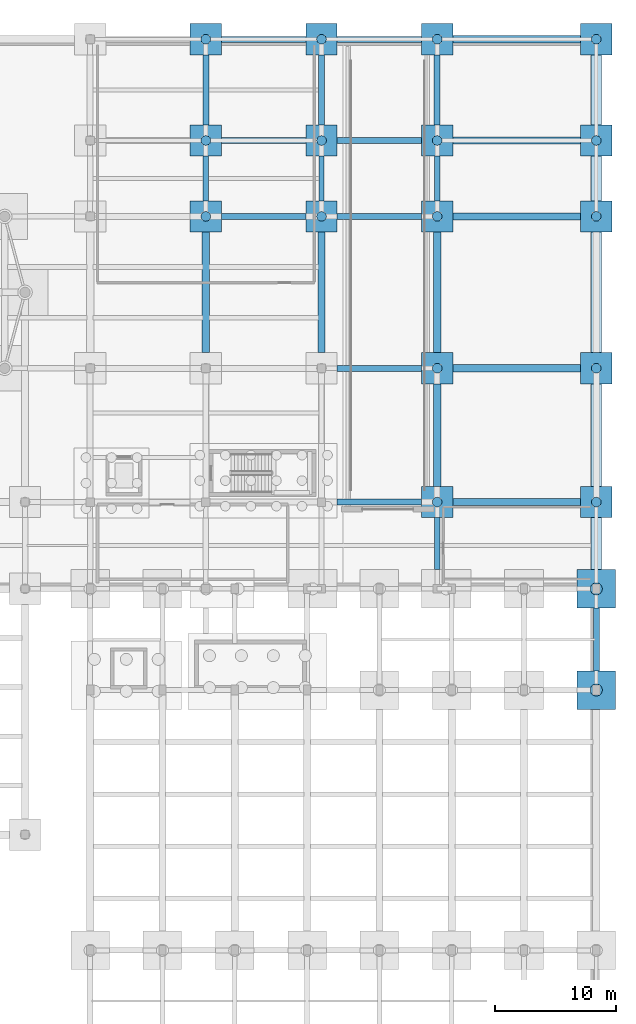
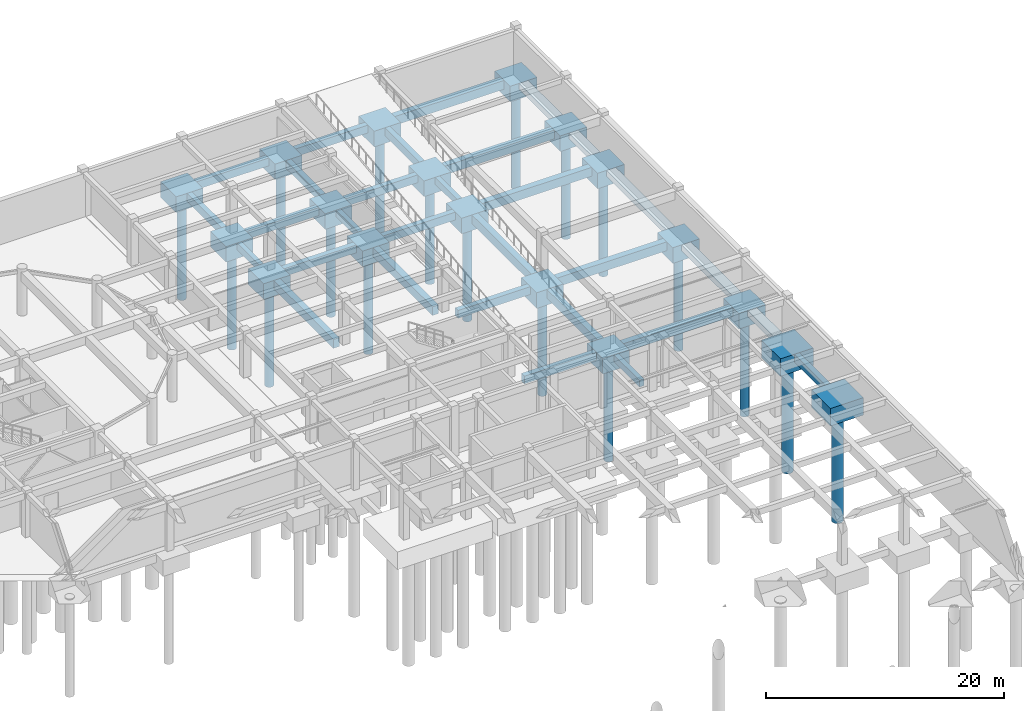
# One storey, part 7 of 37: 48 footings, 18 piles.
"""IFC4 building model written with IfcOpenShell, lengths in metres."""

from ifc_helpers import new_model, si_unit, direction, frame, origin, origin_2d, place, context, subcontext, project, spatial, rectangle, circle, extrude, material, material_profile, profile_set, type_object, element, save


model = new_model("IFC4")

# Units and contexts
model_context = context("Model", 3, precision=1e-05, world=origin(), true_north=direction((0.0, 1.0)))
body_context = subcontext(model_context, "Body", "Model", "MODEL_VIEW")
ifc_project = project(units=[si_unit("LENGTHUNIT", "METRE"), si_unit("AREAUNIT", "SQUARE_METRE"), si_unit("VOLUMEUNIT", "CUBIC_METRE"), si_unit("PLANEANGLEUNIT", "RADIAN"), si_unit("MASSUNIT", "GRAM", prefix="KILO")], contexts=[model_context])

# Site, building, storey
site_placement = place(None, origin())
site = spatial("IfcSite", under=ifc_project, at=site_placement, CompositionType="ELEMENT")
building_placement = place(site_placement, origin())
building = spatial("IfcBuilding", under=site, at=building_placement, Name="Tarnavel Promenade Courthouse", CompositionType="ELEMENT")
storey_placement = place(building_placement, frame((0.0, 0.0, -4.800048828125)))
storey = spatial("IfcBuildingStorey", under=building, at=storey_placement, Name="B01", CompositionType="ELEMENT", Elevation=-4.800048828125)

# Piles
ifc_material_1 = material(Name="Concrete C30/37", Category="concrete")
ifc_material_profile_1 = material_profile(ifc_material_1, circle(Radius=0.5, at=origin_2d()), Name="PILE D1000")
ifc_profile_set_1 = profile_set([ifc_material_profile_1], Name="Concrete C30/37")
pile_type_1 = type_object("IfcPileType", Name="Concrete C30/37 PIL-D1000 (PILE D1000)", PredefinedType="BORED", material=ifc_profile_set_1)
for number, where, z_axis, x_axis, name in (
    (1, (162.0, 58.800048828125, -2.119873046875), (0.0, 0.0, -1.0), (1.0, 0.0, 0.0), "Bored Pile 098-11"),
    (2, (162.0, 67.199951171875, -2.119873046875), (0.0, 0.0, -1.0), (1.0, 0.0, 0.0), "Bored Pile 112-11"),
):
    element("IfcPile", number, at=place(storey_placement, frame(where, z_axis=z_axis, x_axis=x_axis)), inside=storey, type_object=pile_type_1, Name=name, PredefinedType="BORED", context=body_context, shape_type="SweptSolid", body=[
        extrude(circle(Radius=0.5, at=origin_2d()), origin(), (0.0, 0.0, 1.0), 11.280029296875),
    ])
ifc_material_profile_2 = material_profile(ifc_material_1, circle(Radius=0.39990234375, at=origin_2d()), Name="PILE D800")
ifc_profile_set_2 = profile_set([ifc_material_profile_2], Name="Concrete C30/37")
pile_type_2 = type_object("IfcPileType", Name="Concrete C30/37 PIL-D800 (PILE D800)", PredefinedType="BORED", material=ifc_profile_set_2)
for number, where, z_axis, x_axis, name in (
    (3, (148.800048828125, 74.39990234375, -1.919921875), (0.0, 0.0, -1.0), (1.0, 0.0, 0.0), "Bored Pile 134-11"),
    (4, (162.0, 74.39990234375, -1.919921875), (0.0, 0.0, -1.0), (1.0, 0.0, 0.0), "Bored Pile 135-11"),
    (5, (148.800048828125, 85.5, -1.919921875), (0.0, 0.0, -1.0), (1.0, 0.0, 0.0), "Bored Pile 152-11"),
    (6, (162.0, 85.5, -1.919921875), (0.0, 0.0, -1.0), (1.0, 0.0, 0.0), "Bored Pile 153-11"),
    (7, (129.60009765625, 98.10009765625, -1.919921875), (0.0, 0.0, -1.0), (1.0, 0.0, 0.0), "Bored Pile 168-11"),
    (8, (139.199951171875, 98.10009765625, -1.919921875), (0.0, 0.0, -1.0), (1.0, 0.0, 0.0), "Bored Pile 169-11"),
    (9, (148.800048828125, 98.10009765625, -1.919921875), (0.0, 0.0, -1.0), (1.0, 0.0, 0.0), "Bored Pile 170-11"),
    (10, (162.0, 98.10009765625, -1.919921875), (0.0, 0.0, -1.0), (1.0, 0.0, 0.0), "Bored Pile 171-11"),
    (11, (129.60009765625, 104.39990234375, -1.919921875), (0.0, 0.0, -1.0), (1.0, 0.0, 0.0), "Bored Pile 181-11"),
    (12, (139.199951171875, 104.39990234375, -1.919921875), (0.0, 0.0, -1.0), (1.0, 0.0, 0.0), "Bored Pile 182-11"),
    (13, (148.800048828125, 104.39990234375, -1.919921875), (0.0, 0.0, -1.0), (1.0, 0.0, 0.0), "Bored Pile 183-11"),
    (14, (162.0, 104.39990234375, -1.919921875), (0.0, 0.0, -1.0), (1.0, 0.0, 0.0), "Bored Pile 184-11"),
    (15, (129.60009765625, 112.800048828125, -1.919921875), (0.0, 0.0, -1.0), (1.0, 0.0, 0.0), "Bored Pile 198-11"),
    (16, (139.199951171875, 112.800048828125, -1.919921875), (0.0, 0.0, -1.0), (1.0, 0.0, 0.0), "Bored Pile 199-11"),
    (17, (148.800048828125, 112.800048828125, -1.919921875), (0.0, 0.0, -1.0), (1.0, 0.0, 0.0), "Bored Pile 200-11"),
    (18, (162.0, 112.800048828125, -1.919921875), (0.0, 0.0, -1.0), (1.0, 0.0, 0.0), "Bored Pile 201-11"),
):
    element("IfcPile", number, at=place(storey_placement, frame(where, z_axis=z_axis, x_axis=x_axis)), inside=storey, type_object=pile_type_2, Name=name, PredefinedType="BORED", context=body_context, shape_type="SweptSolid", body=[
        extrude(circle(Radius=0.39990234375, at=origin_2d()), origin(), (0.0, 0.0, 1.0), 10.080078125),
    ])

# Footings
ifc_material_2 = material(Name="Concrete C35/45", Category="concrete")
ifc_material_profile_3 = material_profile(ifc_material_2, rectangle(XDim=0.449951171875, YDim=0.699951171875, at=origin_2d()), Name="GB 450x700")
ifc_profile_set_3 = profile_set([ifc_material_profile_3], Name="Concrete C35/45")
footing_type_1 = type_object("IfcFootingType", Name="Concrete C35/45 FTG-GB-450x700 (GB 450x700)", PredefinedType="FOOTING_BEAM", material=ifc_profile_set_3)
for number, where, z_axis, x_axis, name in (
    (19, (129.60009765625, 99.39990234375, -0.77001953125), (0.0, 1.0, 0.0), (-1.0, 0.0, 0.0), "Seismic Ground Tie Beam GB-Y-263"),
    (20, (139.199951171875, 99.39990234375, -0.77001953125), (0.0, 1.0, 0.0), (-1.0, 0.0, 0.0), "Seismic Ground Tie Beam GB-Y-270"),
):
    element("IfcFooting", number, at=place(storey_placement, frame(where, z_axis=z_axis, x_axis=x_axis)), inside=storey, type_object=footing_type_1, Name=name, PredefinedType="FOOTING_BEAM", context=body_context, shape_type="SweptSolid", body=[
        extrude(rectangle(XDim=0.449951171875, YDim=0.699951171875, at=origin_2d()), origin(), (0.0, 0.0, 1.0), 3.7001953125),
    ])
footing_1_placement = place(storey_placement, frame((148.800048828125, 68.800048828125, -0.77001953125), z_axis=(0.0, 1.0, 0.0), x_axis=(-1.0, 0.0, 0.0)))
element("IfcFooting", 21, at=footing_1_placement, inside=storey, type_object=footing_type_1, Name="Seismic Ground Tie Beam GB-Y-274", PredefinedType="FOOTING_BEAM", context=body_context, shape_type="SweptSolid", body=[
    extrude(rectangle(XDim=0.449951171875, YDim=0.699951171875, at=origin_2d()), origin(), (0.0, 0.0, 1.0), 4.300048828125),
])
footing_2_placement = place(storey_placement, frame((148.800048828125, 99.39990234375, -0.77001953125), z_axis=(0.0, 1.0, 0.0), x_axis=(-1.0, 0.0, 0.0)))
element("IfcFooting", 22, at=footing_2_placement, inside=storey, type_object=footing_type_1, Name="Seismic Ground Tie Beam GB-Y-277", PredefinedType="FOOTING_BEAM", context=body_context, shape_type="SweptSolid", body=[
    extrude(rectangle(XDim=0.449951171875, YDim=0.699951171875, at=origin_2d()), origin(), (0.0, 0.0, 1.0), 3.7001953125),
])
ifc_material_profile_4 = material_profile(ifc_material_2, rectangle(XDim=0.5, YDim=0.800048828125, at=origin_2d()), Name="GB 500x800")
ifc_profile_set_4 = profile_set([ifc_material_profile_4], Name="Concrete C35/45")
footing_type_2 = type_object("IfcFootingType", Name="Concrete C35/45 FTG-GB-500x800 (GB 500x800)", PredefinedType="FOOTING_BEAM", material=ifc_profile_set_4)
for number, where, z_axis, x_axis, name in (
    (23, (140.5, 74.39990234375, -0.820068359375), (1.0, 0.0, 0.0), (0.0, 1.0, 0.0), "Seismic Ground Tie Beam GB-X-113"),
    (24, (140.5, 85.5, -0.820068359375), (1.0, 0.0, 0.0), (0.0, 1.0, 0.0), "Seismic Ground Tie Beam GB-X-125"),
    (25, (130.89990234375, 98.10009765625, -0.820068359375), (1.0, 0.0, 0.0), (0.0, 1.0, 0.0), "Seismic Ground Tie Beam GB-X-138"),
    (26, (140.5, 98.10009765625, -0.820068359375), (1.0, 0.0, 0.0), (0.0, 1.0, 0.0), "Seismic Ground Tie Beam GB-X-139"),
    (27, (130.89990234375, 104.39990234375, -0.820068359375), (1.0, 0.0, 0.0), (0.0, 1.0, 0.0), "Seismic Ground Tie Beam GB-X-146"),
    (28, (140.5, 104.39990234375, -0.820068359375), (1.0, 0.0, 0.0), (0.0, 1.0, 0.0), "Seismic Ground Tie Beam GB-X-147"),
    (29, (130.89990234375, 112.800048828125, -0.820068359375), (1.0, 0.0, 0.0), (0.0, 1.0, 0.0), "Seismic Ground Tie Beam GB-X-162"),
    (30, (140.5, 112.800048828125, -0.820068359375), (1.0, 0.0, 0.0), (0.0, 1.0, 0.0), "Seismic Ground Tie Beam GB-X-163"),
):
    element("IfcFooting", number, at=place(storey_placement, frame(where, z_axis=z_axis, x_axis=x_axis)), inside=storey, type_object=footing_type_2, Name=name, PredefinedType="FOOTING_BEAM", context=body_context, shape_type="SweptSolid", body=[
        extrude(rectangle(XDim=0.5, YDim=0.800048828125, at=origin_2d()), origin(), (0.0, 0.0, 1.0), 7.0),
    ])
for number, where, z_axis, x_axis, name in (
    (31, (129.60009765625, 105.699951171875, -0.820068359375), (0.0, 1.0, 0.0), (-1.0, 0.0, 0.0), "Seismic Ground Tie Beam GB-Y-264"),
    (32, (139.199951171875, 105.699951171875, -0.820068359375), (0.0, 1.0, 0.0), (-1.0, 0.0, 0.0), "Seismic Ground Tie Beam GB-Y-271"),
    (33, (148.800048828125, 105.699951171875, -0.820068359375), (0.0, 1.0, 0.0), (-1.0, 0.0, 0.0), "Seismic Ground Tie Beam GB-Y-278"),
):
    element("IfcFooting", number, at=place(storey_placement, frame(where, z_axis=z_axis, x_axis=x_axis)), inside=storey, type_object=footing_type_2, Name=name, PredefinedType="FOOTING_BEAM", context=body_context, shape_type="SweptSolid", body=[
        extrude(rectangle(XDim=0.5, YDim=0.800048828125, at=origin_2d()), origin(), (0.0, 0.0, 1.0), 5.800048828125),
    ])
footing_3_placement = place(storey_placement, frame((162.0, 60.39990234375, -0.820068359375), z_axis=(0.0, 1.0, 0.0), x_axis=(-1.0, 0.0, 0.0)))
element("IfcFooting", 34, at=footing_3_placement, inside=storey, type_object=footing_type_2, Name="Seismic Ground Tie Beam GB-Y-283", PredefinedType="FOOTING_BEAM", context=body_context, shape_type="SweptSolid", body=[
    extrude(rectangle(XDim=0.5, YDim=0.800048828125, at=origin_2d()), origin(), (0.0, 0.0, 1.0), 5.2001953125),
])
ifc_material_profile_5 = material_profile(ifc_material_2, rectangle(XDim=0.60009765625, YDim=0.89990234375, at=origin_2d()), Name="GB 600x900")
ifc_profile_set_5 = profile_set([ifc_material_profile_5], Name="Concrete C35/45")
footing_type_3 = type_object("IfcFootingType", Name="Concrete C35/45 FTG-GB-600x900 (GB 600x900)", PredefinedType="FOOTING_BEAM", material=ifc_profile_set_5)
for number, where, z_axis, x_axis, name in (
    (35, (150.10009765625, 74.39990234375, -0.869873046875), (1.0, 0.0, 0.0), (0.0, 1.0, 0.0), "Seismic Ground Tie Beam GB-X-114"),
    (36, (150.10009765625, 85.5, -0.869873046875), (1.0, 0.0, 0.0), (0.0, 1.0, 0.0), "Seismic Ground Tie Beam GB-X-126"),
    (37, (150.10009765625, 98.10009765625, -0.869873046875), (1.0, 0.0, 0.0), (0.0, 1.0, 0.0), "Seismic Ground Tie Beam GB-X-140"),
    (38, (150.10009765625, 104.39990234375, -0.869873046875), (1.0, 0.0, 0.0), (0.0, 1.0, 0.0), "Seismic Ground Tie Beam GB-X-148"),
    (39, (150.10009765625, 112.800048828125, -0.869873046875), (1.0, 0.0, 0.0), (0.0, 1.0, 0.0), "Seismic Ground Tie Beam GB-X-164"),
):
    element("IfcFooting", number, at=place(storey_placement, frame(where, z_axis=z_axis, x_axis=x_axis)), inside=storey, type_object=footing_type_3, Name=name, PredefinedType="FOOTING_BEAM", context=body_context, shape_type="SweptSolid", body=[
        extrude(rectangle(XDim=0.60009765625, YDim=0.89990234375, at=origin_2d()), origin(), (0.0, 0.0, 1.0), 10.599853515625),
    ])
for number, where, z_axis, x_axis, name in (
    (40, (129.60009765625, 86.800048828125, -0.869873046875), (0.0, 1.0, 0.0), (-1.0, 0.0, 0.0), "Seismic Ground Tie Beam GB-Y-262"),
    (41, (139.199951171875, 86.800048828125, -0.869873046875), (0.0, 1.0, 0.0), (-1.0, 0.0, 0.0), "Seismic Ground Tie Beam GB-Y-269"),
):
    element("IfcFooting", number, at=place(storey_placement, frame(where, z_axis=z_axis, x_axis=x_axis)), inside=storey, type_object=footing_type_3, Name=name, PredefinedType="FOOTING_BEAM", context=body_context, shape_type="SweptSolid", body=[
        extrude(rectangle(XDim=0.60009765625, YDim=0.89990234375, at=origin_2d()), origin(), (0.0, 0.0, 1.0), 10.0),
    ])
footing_4_placement = place(storey_placement, frame((148.800048828125, 75.699951171875, -0.869873046875), z_axis=(0.0, 1.0, 0.0), x_axis=(-1.0, 0.0, 0.0)))
element("IfcFooting", 42, at=footing_4_placement, inside=storey, type_object=footing_type_3, Name="Seismic Ground Tie Beam GB-Y-275", PredefinedType="FOOTING_BEAM", context=body_context, shape_type="SweptSolid", body=[
    extrude(rectangle(XDim=0.60009765625, YDim=0.89990234375, at=origin_2d()), origin(), (0.0, 0.0, 1.0), 8.5),
])
footing_5_placement = place(storey_placement, frame((148.800048828125, 86.800048828125, -0.869873046875), z_axis=(0.0, 1.0, 0.0), x_axis=(-1.0, 0.0, 0.0)))
element("IfcFooting", 43, at=footing_5_placement, inside=storey, type_object=footing_type_3, Name="Seismic Ground Tie Beam GB-Y-276", PredefinedType="FOOTING_BEAM", context=body_context, shape_type="SweptSolid", body=[
    extrude(rectangle(XDim=0.60009765625, YDim=0.89990234375, at=origin_2d()), origin(), (0.0, 0.0, 1.0), 10.0),
])
ifc_material_profile_6 = material_profile(ifc_material_2, rectangle(XDim=0.89990234375, YDim=0.60009765625, at=origin_2d()), Name="SF 900x600")
ifc_profile_set_6 = profile_set([ifc_material_profile_6], Name="Concrete C35/45")
footing_type_4 = type_object("IfcFootingType", Name="Concrete C35/45 FTG-SF-900x600 (SF 900x600)", PredefinedType="STRIP_FOOTING", material=ifc_profile_set_6)
footing_6_placement = place(storey_placement, frame((162.0, 68.800048828125, -0.719970703125), z_axis=(0.0, 1.0, 0.0), x_axis=(-1.0, 0.0, 0.0)))
element("IfcFooting", 44, at=footing_6_placement, inside=storey, type_object=footing_type_4, Name="Retaining Wall Strip Footing SF-284", PredefinedType="STRIP_FOOTING", context=body_context, shape_type="SweptSolid", body=[
    extrude(rectangle(XDim=0.89990234375, YDim=0.60009765625, at=origin_2d()), origin(), (0.0, 0.0, 1.0), 4.300048828125),
])
footing_7_placement = place(storey_placement, frame((162.0, 75.699951171875, -0.719970703125), z_axis=(0.0, 1.0, 0.0), x_axis=(-1.0, 0.0, 0.0)))
element("IfcFooting", 45, at=footing_7_placement, inside=storey, type_object=footing_type_4, Name="Retaining Wall Strip Footing SF-285", PredefinedType="STRIP_FOOTING", context=body_context, shape_type="SweptSolid", body=[
    extrude(rectangle(XDim=0.89990234375, YDim=0.60009765625, at=origin_2d()), origin(), (0.0, 0.0, 1.0), 8.5),
])
footing_8_placement = place(storey_placement, frame((162.0, 86.800048828125, -0.719970703125), z_axis=(0.0, 1.0, 0.0), x_axis=(-1.0, 0.0, 0.0)))
element("IfcFooting", 46, at=footing_8_placement, inside=storey, type_object=footing_type_4, Name="Retaining Wall Strip Footing SF-286", PredefinedType="STRIP_FOOTING", context=body_context, shape_type="SweptSolid", body=[
    extrude(rectangle(XDim=0.89990234375, YDim=0.60009765625, at=origin_2d()), origin(), (0.0, 0.0, 1.0), 10.0),
])
footing_9_placement = place(storey_placement, frame((162.0, 99.39990234375, -0.719970703125), z_axis=(0.0, 1.0, 0.0), x_axis=(-1.0, 0.0, 0.0)))
element("IfcFooting", 47, at=footing_9_placement, inside=storey, type_object=footing_type_4, Name="Retaining Wall Strip Footing SF-287", PredefinedType="STRIP_FOOTING", context=body_context, shape_type="SweptSolid", body=[
    extrude(rectangle(XDim=0.89990234375, YDim=0.60009765625, at=origin_2d()), origin(), (0.0, 0.0, 1.0), 3.7001953125),
])
footing_10_placement = place(storey_placement, frame((162.0, 105.699951171875, -0.719970703125), z_axis=(0.0, 1.0, 0.0), x_axis=(-1.0, 0.0, 0.0)))
element("IfcFooting", 48, at=footing_10_placement, inside=storey, type_object=footing_type_4, Name="Retaining Wall Strip Footing SF-288", PredefinedType="STRIP_FOOTING", context=body_context, shape_type="SweptSolid", body=[
    extrude(rectangle(XDim=0.89990234375, YDim=0.60009765625, at=origin_2d()), origin(), (0.0, 0.0, 1.0), 5.800048828125),
])
footing_type_5 = type_object("IfcFootingType", Name="Concrete C35/45 Pile Cap PC-01 (2600x2600x1600)", PredefinedType="PILE_CAP", material=ifc_material_2)
for number, where, z_axis, x_axis, name in (
    (49, (148.800048828125, 74.39990234375, -2.02001953125), (0.0, 0.0, 1.0), (1.0, 0.0, 0.0), "Pile Cap 134"),
    (50, (162.0, 74.39990234375, -2.02001953125), (0.0, 0.0, 1.0), (1.0, 0.0, 0.0), "Pile Cap 135"),
    (51, (148.800048828125, 85.5, -2.02001953125), (0.0, 0.0, 1.0), (1.0, 0.0, 0.0), "Pile Cap 152"),
    (52, (162.0, 85.5, -2.02001953125), (0.0, 0.0, 1.0), (1.0, 0.0, 0.0), "Pile Cap 153"),
    (53, (129.60009765625, 98.10009765625, -2.02001953125), (0.0, 0.0, 1.0), (1.0, 0.0, 0.0), "Pile Cap 168"),
    (54, (139.199951171875, 98.10009765625, -2.02001953125), (0.0, 0.0, 1.0), (1.0, 0.0, 0.0), "Pile Cap 169"),
    (55, (148.800048828125, 98.10009765625, -2.02001953125), (0.0, 0.0, 1.0), (1.0, 0.0, 0.0), "Pile Cap 170"),
    (56, (162.0, 98.10009765625, -2.02001953125), (0.0, 0.0, 1.0), (1.0, 0.0, 0.0), "Pile Cap 171"),
    (57, (129.60009765625, 104.39990234375, -2.02001953125), (0.0, 0.0, 1.0), (1.0, 0.0, 0.0), "Pile Cap 181"),
    (58, (139.199951171875, 104.39990234375, -2.02001953125), (0.0, 0.0, 1.0), (1.0, 0.0, 0.0), "Pile Cap 182"),
    (59, (148.800048828125, 104.39990234375, -2.02001953125), (0.0, 0.0, 1.0), (1.0, 0.0, 0.0), "Pile Cap 183"),
    (60, (162.0, 104.39990234375, -2.02001953125), (0.0, 0.0, 1.0), (1.0, 0.0, 0.0), "Pile Cap 184"),
    (61, (129.60009765625, 112.800048828125, -2.02001953125), (0.0, 0.0, 1.0), (1.0, 0.0, 0.0), "Pile Cap 198"),
    (62, (139.199951171875, 112.800048828125, -2.02001953125), (0.0, 0.0, 1.0), (1.0, 0.0, 0.0), "Pile Cap 199"),
    (63, (148.800048828125, 112.800048828125, -2.02001953125), (0.0, 0.0, 1.0), (1.0, 0.0, 0.0), "Pile Cap 200"),
    (64, (162.0, 112.800048828125, -2.02001953125), (0.0, 0.0, 1.0), (1.0, 0.0, 0.0), "Pile Cap 201"),
):
    element("IfcFooting", number, at=place(storey_placement, frame(where, z_axis=z_axis, x_axis=x_axis)), inside=storey, type_object=footing_type_5, Name=name, PredefinedType="PILE_CAP", context=body_context, shape_type="SweptSolid", body=[
        extrude(rectangle(XDim=2.60009765625, YDim=2.60009765625, at=origin_2d()), origin(), (0.0, 0.0, 1.0), 1.60009765625),
    ])
footing_type_6 = type_object("IfcFootingType", Name="Concrete C35/45 Pile Cap PC-06 (3200x3200x1800)", PredefinedType="PILE_CAP", material=ifc_material_2)
for number, where, z_axis, x_axis, name in (
    (65, (162.0, 58.800048828125, -2.22021484375), (0.0, 0.0, 1.0), (1.0, 0.0, 0.0), "Pile Cap 098"),
    (66, (162.0, 67.199951171875, -2.22021484375), (0.0, 0.0, 1.0), (1.0, 0.0, 0.0), "Pile Cap 112"),
):
    element("IfcFooting", number, at=place(storey_placement, frame(where, z_axis=z_axis, x_axis=x_axis)), inside=storey, type_object=footing_type_6, Name=name, PredefinedType="PILE_CAP", context=body_context, shape_type="SweptSolid", body=[
        extrude(rectangle(XDim=3.199951171875, YDim=3.199951171875, at=origin_2d()), origin(), (0.0, 0.0, 1.0), 1.800048828125),
    ])

save(model, "model.ifc")
